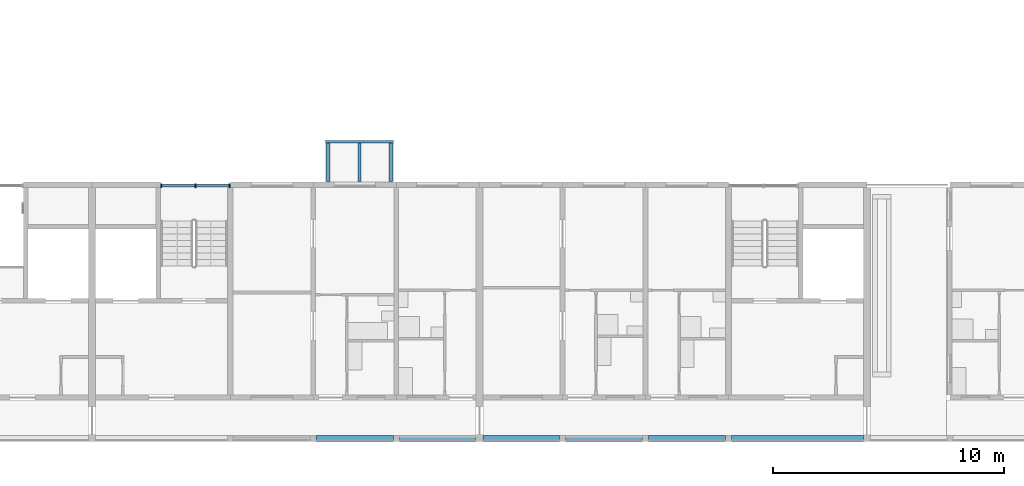
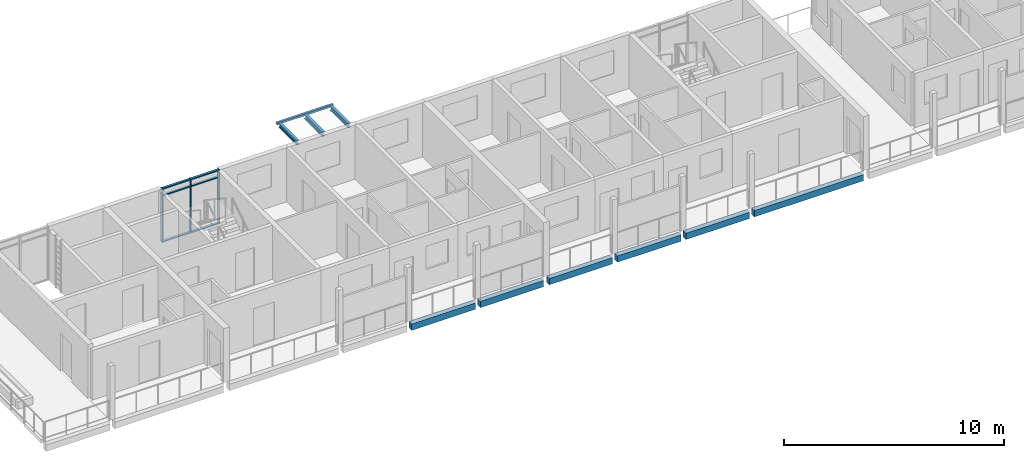
# One storey, part 10 of 64: 10 beams, 9 members, 1 element without a shape of its own.
"""IFC4 building model written with IfcOpenShell, lengths in metres."""

from ifc_helpers import new_model, si_unit, direction, frame, origin, origin_2d, place, context, subcontext, project, spatial, rectangle, hollow_rectangle, i_section, extrude, material, material_profile, profile_set, type_object, element, aggregate, save


model = new_model("IFC4")

# Units and contexts
model_context = context("Model", 3, precision=1e-05, world=origin(), true_north=direction((0.0, 1.0)))
body_context = subcontext(model_context, "Body", "Model", "MODEL_VIEW")
ifc_project = project(units=[si_unit("LENGTHUNIT", "METRE"), si_unit("AREAUNIT", "SQUARE_METRE"), si_unit("VOLUMEUNIT", "CUBIC_METRE"), si_unit("PLANEANGLEUNIT", "RADIAN"), si_unit("MASSUNIT", "GRAM", prefix="KILO")], contexts=[model_context])

# Site, building, storey
site_placement = place(None, origin())
site = spatial("IfcSite", under=ifc_project, at=site_placement, CompositionType="ELEMENT")
building_placement = place(site_placement, origin())
building = spatial("IfcBuilding", under=site, at=building_placement, Name="Ridgestep Commons", CompositionType="ELEMENT")
storey_placement = place(building_placement, frame((0.0, 0.0, 33.0)))
storey = spatial("IfcBuildingStorey", under=building, at=storey_placement, Name="L11", CompositionType="ELEMENT", Elevation=33.0)

# Beams
ifc_material_1 = material(Name="Precast concrete C40/50", Category="concrete")
ifc_material_profile_1 = material_profile(ifc_material_1, rectangle(XDim=0.25, YDim=0.35009765625, at=origin_2d()), Name="PC 250x350")
ifc_profile_set_1 = profile_set([ifc_material_profile_1], Name="Precast concrete C40/50")
beam_type_1 = type_object("IfcBeamType", Name="Loggia edge beam 250 x 350", PredefinedType="SPANDREL", material=ifc_profile_set_1)
beam_1_placement = place(storey_placement, frame((173.324951171875, 11.875, -0.375), z_axis=(1.0, 0.0, 0.0), x_axis=(0.0, 1.0, 0.0)))
element("IfcBeam", 1, at=beam_1_placement, inside=storey, type_object=beam_type_1, Name="Loggia edge beam D2T2 L11", PredefinedType="SPANDREL", context=body_context, shape_type="SweptSolid", body=[
    extrude(rectangle(XDim=0.25, YDim=0.35009765625, at=origin_2d()), origin(), (0.0, 0.0, 1.0), 3.35009765625),
])
for number, where, z_axis, x_axis, name in (
    (2, (176.925048828125, 11.875, -0.375), (1.0, 0.0, 0.0), (0.0, 1.0, 0.0), "Loggia edge beam D2T1 L11"),
    (3, (180.550048828125, 11.875, -0.375), (1.0, 0.0, 0.0), (0.0, 1.0, 0.0), "Loggia edge beam D3T1 L11"),
):
    element("IfcBeam", number, at=place(storey_placement, frame(where, z_axis=z_axis, x_axis=x_axis)), inside=storey, type_object=beam_type_1, Name=name, PredefinedType="SPANDREL", context=body_context, shape_type="SweptSolid", body=[
        extrude(rectangle(XDim=0.25, YDim=0.35009765625, at=origin_2d()), origin(), (0.0, 0.0, 1.0), 3.324951171875),
    ])
beam_2_placement = place(storey_placement, frame((184.125, 11.875, -0.375), z_axis=(1.0, 0.0, 0.0), x_axis=(0.0, 1.0, 0.0)))
element("IfcBeam", 4, at=beam_2_placement, inside=storey, type_object=beam_type_1, Name="Loggia edge beam D3T2 L11", PredefinedType="SPANDREL", context=body_context, shape_type="SweptSolid", body=[
    extrude(rectangle(XDim=0.25, YDim=0.35009765625, at=origin_2d()), origin(), (0.0, 0.0, 1.0), 3.35009765625),
])
beam_3_placement = place(storey_placement, frame((187.72509765625, 11.875, -0.375), z_axis=(1.0, 0.0, 0.0), x_axis=(0.0, 1.0, 0.0)))
element("IfcBeam", 5, at=beam_3_placement, inside=storey, type_object=beam_type_1, Name="Loggia edge beam D3T3 L11", PredefinedType="SPANDREL", context=body_context, shape_type="SweptSolid", body=[
    extrude(rectangle(XDim=0.25, YDim=0.35009765625, at=origin_2d()), origin(), (0.0, 0.0, 1.0), 3.349853515625),
])
beam_4_placement = place(storey_placement, frame((191.324951171875, 11.875, -0.375), z_axis=(1.0, 0.0, 0.0), x_axis=(0.0, 1.0, 0.0)))
element("IfcBeam", 6, at=beam_4_placement, inside=storey, type_object=beam_type_1, Name="Loggia edge beam D3C L11", PredefinedType="SPANDREL", context=body_context, shape_type="SweptSolid", body=[
    extrude(rectangle(XDim=0.25, YDim=0.35009765625, at=origin_2d()), origin(), (0.0, 0.0, 1.0), 5.72509765625),
])

# Curtain wall, members
ifc_material_2 = material(Name="Aluminium 6063-T6 and glass", Category="aluminium")
curtain_wall_type = type_object("IfcCurtainWallType", Name="Curtain wall stair strip", PredefinedType="NOTDEFINED", material=ifc_material_2)
curtain_wall_placement = place(storey_placement, origin())
curtain_wall = element("IfcCurtainWall", 7, at=curtain_wall_placement, inside=storey, type_object=curtain_wall_type, Name="Curtain wall D2C level 11", PredefinedType="NOTDEFINED")
ifc_material_3 = material(Name="Aluminium 6063-T6", Category="aluminium")
ifc_material_profile_2 = material_profile(ifc_material_3, rectangle(XDim=0.159912109375, YDim=0.06005859375, at=origin_2d()), Name="Mullion 60 x 160")
ifc_profile_set_2 = profile_set([ifc_material_profile_2], Name="Aluminium 6063-T6")
member_type_1 = type_object("IfcMemberType", Name="Mullion 60 x 160", PredefinedType="MULLION", material=ifc_profile_set_2)
member_1_placement = place(storey_placement, frame((166.60498046875, 22.830078125, 0.0), z_axis=(0.0, 0.0, 1.0), x_axis=(0.0, 1.0, 0.0)))
member_1 = element("IfcMember", 8, at=member_1_placement, type_object=member_type_1, Name="CW1 mullion 1", PredefinedType="MULLION", context=body_context, shape_type="SweptSolid", body=[
    extrude(rectangle(XDim=0.159912109375, YDim=0.06005859375, at=origin_2d()), origin(), (0.0, 0.0, 1.0), 3.0),
])
member_2_placement = place(storey_placement, frame((168.08740234375, 22.830078125, 0.0), z_axis=(0.0, 0.0, 1.0), x_axis=(0.0, 1.0, 0.0)))
member_2 = element("IfcMember", 9, at=member_2_placement, type_object=member_type_1, Name="CW1 mullion 2", PredefinedType="MULLION", context=body_context, shape_type="SweptSolid", body=[
    extrude(rectangle(XDim=0.159912109375, YDim=0.06005859375, at=origin_2d()), origin(), (0.0, 0.0, 1.0), 3.0),
])
member_3_placement = place(storey_placement, frame((169.570068359375, 22.830078125, 0.0), z_axis=(0.0, 0.0, 1.0), x_axis=(0.0, 1.0, 0.0)))
member_3 = element("IfcMember", 10, at=member_3_placement, type_object=member_type_1, Name="CW1 mullion 3", PredefinedType="MULLION", context=body_context, shape_type="SweptSolid", body=[
    extrude(rectangle(XDim=0.159912109375, YDim=0.06005859375, at=origin_2d()), origin(), (0.0, 0.0, 1.0), 3.0),
])
ifc_material_4 = material(Name="Aluminium 6063-T6", Category="aluminium")
ifc_material_profile_3 = material_profile(ifc_material_4, rectangle(XDim=0.1201171875, YDim=0.06005859375, at=origin_2d()), Name="Transom 60 x 120")
ifc_profile_set_3 = profile_set([ifc_material_profile_3], Name="Aluminium 6063-T6")
member_type_2 = type_object("IfcMemberType", Name="Transom 60 x 120", PredefinedType="USERDEFINED", material=ifc_profile_set_3)
member_4_placement = place(storey_placement, frame((166.635009765625, 22.830078125, 0.030029296875), z_axis=(1.0, 0.0, 0.0), x_axis=(0.0, 1.0, 0.0)))
member_4 = element("IfcMember", 11, at=member_4_placement, type_object=member_type_2, Name="CW1 transom 1.1", ObjectType="TRANSOM", PredefinedType="USERDEFINED", context=body_context, shape_type="SweptSolid", body=[
    extrude(rectangle(XDim=0.1201171875, YDim=0.06005859375, at=origin_2d()), origin(), (0.0, 0.0, 1.0), 1.422607421875),
])
member_5_placement = place(storey_placement, frame((166.635009765625, 22.830078125, 2.590087890625), z_axis=(1.0, 0.0, 0.0), x_axis=(0.0, 1.0, 0.0)))
member_5 = element("IfcMember", 12, at=member_5_placement, type_object=member_type_2, Name="CW1 transom 1.2", ObjectType="TRANSOM", PredefinedType="USERDEFINED", context=body_context, shape_type="SweptSolid", body=[
    extrude(rectangle(XDim=0.1201171875, YDim=0.06005859375, at=origin_2d()), origin(), (0.0, 0.0, 1.0), 1.422607421875),
])
member_6_placement = place(storey_placement, frame((166.635009765625, 22.830078125, 2.969970703125), z_axis=(1.0, 0.0, 0.0), x_axis=(0.0, 1.0, 0.0)))
member_6 = element("IfcMember", 13, at=member_6_placement, type_object=member_type_2, Name="CW1 transom 1.3", ObjectType="TRANSOM", PredefinedType="USERDEFINED", context=body_context, shape_type="SweptSolid", body=[
    extrude(rectangle(XDim=0.1201171875, YDim=0.06005859375, at=origin_2d()), origin(), (0.0, 0.0, 1.0), 1.422607421875),
])
member_7_placement = place(storey_placement, frame((168.117431640625, 22.830078125, 0.030029296875), z_axis=(1.0, 0.0, 0.0), x_axis=(0.0, 1.0, 0.0)))
member_7 = element("IfcMember", 14, at=member_7_placement, type_object=member_type_2, Name="CW1 transom 2.1", ObjectType="TRANSOM", PredefinedType="USERDEFINED", context=body_context, shape_type="SweptSolid", body=[
    extrude(rectangle(XDim=0.1201171875, YDim=0.06005859375, at=origin_2d()), origin(), (0.0, 0.0, 1.0), 1.422607421875),
])
member_8_placement = place(storey_placement, frame((168.117431640625, 22.830078125, 2.590087890625), z_axis=(1.0, 0.0, 0.0), x_axis=(0.0, 1.0, 0.0)))
member_8 = element("IfcMember", 15, at=member_8_placement, type_object=member_type_2, Name="CW1 transom 2.2", ObjectType="TRANSOM", PredefinedType="USERDEFINED", context=body_context, shape_type="SweptSolid", body=[
    extrude(rectangle(XDim=0.1201171875, YDim=0.06005859375, at=origin_2d()), origin(), (0.0, 0.0, 1.0), 1.422607421875),
])
member_9_placement = place(storey_placement, frame((168.117431640625, 22.830078125, 2.969970703125), z_axis=(1.0, 0.0, 0.0), x_axis=(0.0, 1.0, 0.0)))
member_9 = element("IfcMember", 16, at=member_9_placement, type_object=member_type_2, Name="CW1 transom 2.3", ObjectType="TRANSOM", PredefinedType="USERDEFINED", context=body_context, shape_type="SweptSolid", body=[
    extrude(rectangle(XDim=0.1201171875, YDim=0.06005859375, at=origin_2d()), origin(), (0.0, 0.0, 1.0), 1.422607421875),
])
aggregate(curtain_wall, [member_1, member_2, member_3, member_4, member_5, member_6, member_7, member_8, member_9])

# Beams
ifc_material_5 = material(Name="Weathering steel S355J2W", Category="steel")
ifc_material_profile_4 = material_profile(ifc_material_5, i_section(OverallWidth=0.14599609375, OverallDepth=0.25146484375, WebThickness=0.006103515625, FlangeThickness=0.008544921875, FilletRadius=0.007568359375, at=origin_2d()), Name="UB 254x146x31")
ifc_profile_set_4 = profile_set([ifc_material_profile_4], Name="Weathering steel S355J2W")
beam_type_2 = type_object("IfcBeamType", Name="Tray arm UB 254x146x31", PredefinedType="BEAM", material=ifc_profile_set_4)
for number, where, z_axis, x_axis, name in (
    (17, (173.85009765625, 23.014892578125, 2.8642578125), (0.0, 1.0, 0.0), (-1.0, 0.0, 0.0), "Tray arm D2T2-12.1"),
    (18, (175.199951171875, 23.014892578125, 2.8642578125), (0.0, 1.0, 0.0), (-1.0, 0.0, 0.0), "Tray arm D2T2-12.2"),
    (19, (176.550048828125, 23.014892578125, 2.8642578125), (0.0, 1.0, 0.0), (-1.0, 0.0, 0.0), "Tray arm D2T2-12.3"),
):
    element("IfcBeam", number, at=place(storey_placement, frame(where, z_axis=z_axis, x_axis=x_axis)), inside=storey, type_object=beam_type_2, Name=name, PredefinedType="BEAM", context=body_context, shape_type="SweptSolid", body=[
        extrude(i_section(OverallWidth=0.14599609375, OverallDepth=0.25146484375, WebThickness=0.006103515625, FlangeThickness=0.008544921875, FilletRadius=0.007568359375, at=origin_2d()), origin(), (0.0, 0.0, 1.0), 1.6650390625),
    ])
ifc_material_6 = material(Name="Weathering steel S355J2W", Category="steel")
ifc_material_profile_5 = material_profile(ifc_material_6, hollow_rectangle(XDim=0.1201171875, YDim=0.1201171875, WallThickness=0.00634765625, InnerFilletRadius=0.00634765625, OuterFilletRadius=0.009521484375, at=origin_2d()), Name="SHS 120x120x6.3")
ifc_profile_set_5 = profile_set([ifc_material_profile_5], Name="Weathering steel S355J2W")
beam_type_3 = type_object("IfcBeamType", Name="Tray edge member SHS 120x120x6.3", PredefinedType="BEAM", material=ifc_profile_set_5)
beam_5_placement = place(storey_placement, frame((173.72998046875, 24.739990234375, 2.929931640625), z_axis=(1.0, 0.0, 0.0), x_axis=(0.0, 0.0, 1.0)))
element("IfcBeam", 20, at=beam_5_placement, inside=storey, type_object=beam_type_3, Name="Tray edge member D2T2-12", PredefinedType="BEAM", context=body_context, shape_type="SweptSolid", body=[
    extrude(hollow_rectangle(XDim=0.1201171875, YDim=0.1201171875, WallThickness=0.00634765625, InnerFilletRadius=0.00634765625, OuterFilletRadius=0.009521484375, at=origin_2d()), origin(), (0.0, 0.0, 1.0), 2.93994140625),
])

save(model, "model.ifc")
